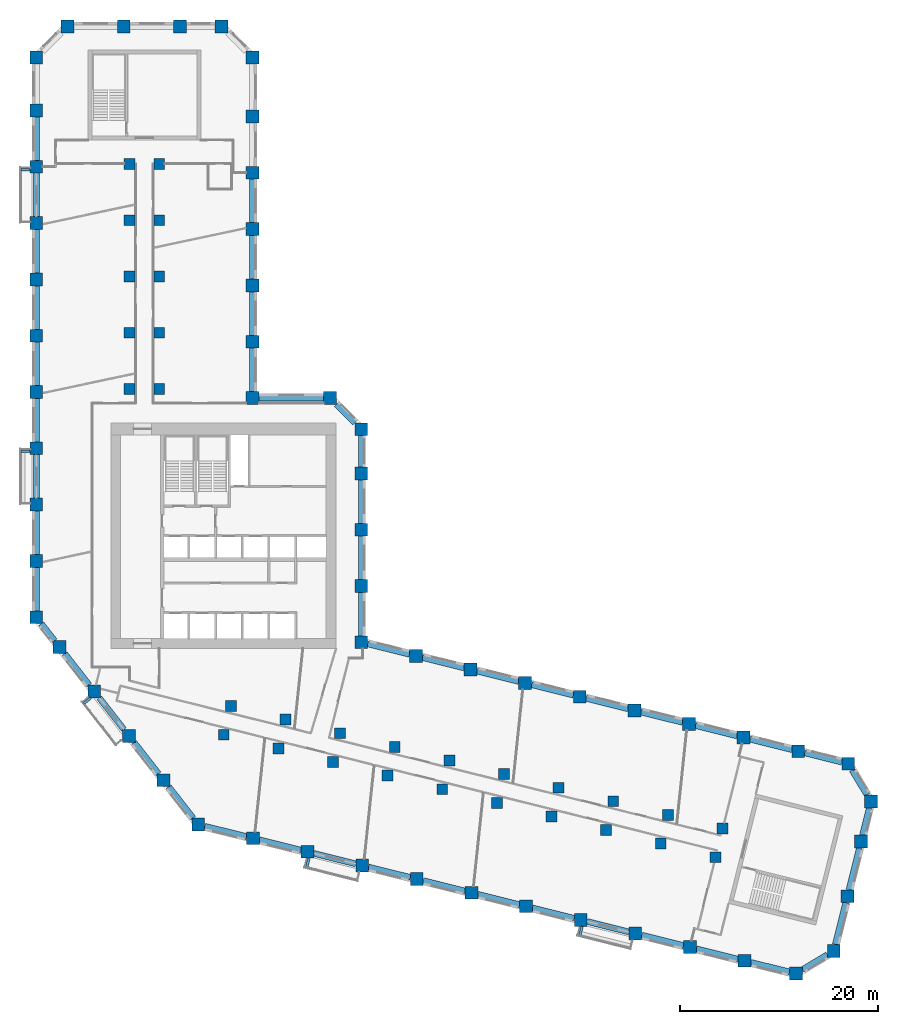
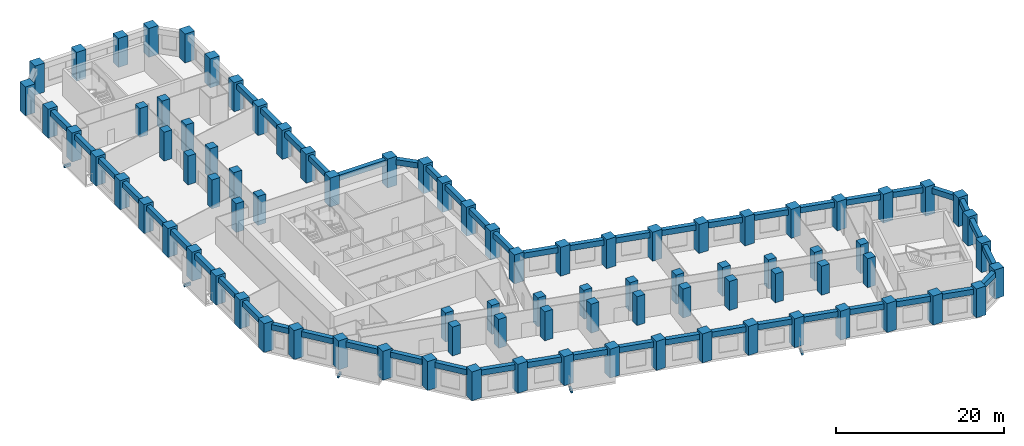
# One storey, part 1 of 11: 87 columns, 54 beams.
"""IFC4 building model written with IfcOpenShell, lengths in metres."""

import ifcopenshell
import ifcopenshell.guid

model = None  # the IFC model being written
_history = None  # IfcOwnerHistory: only IFC2X3 demands one
_inside = {}  # id of a spatial element -> (the spatial element, [elements in it])
_under = {}  # id of a project, library or spatial element -> (it, [spatial elements below it])
_declared = {}  # id of a project -> (the project, [libraries it declares])
_typed = {}  # id of a type object -> (the type object, [elements of that type])
_made_of = {}  # id of a material, layer set ... -> (it, [elements and type objects made of it])


def new_model(schema):
    """Start an empty IFC model of exactly this schema.

    Asked for "IFC4X3", IfcOpenShell would pick the latest addendum, in which some entities
    have other attributes; the version numbers below select the first issue.
    IFC2X3 requires an IfcOwnerHistory on every rooted entity: one is made here for all.
    """
    global model, _history
    if schema == "IFC4X3":
        model = ifcopenshell.file(schema_version=(4, 3, 0, 0))
    else:
        model = ifcopenshell.file(schema=schema)
    _inside.clear()
    _under.clear()
    _declared.clear()
    _typed.clear()
    _made_of.clear()
    _history = None
    if model.schema == "IFC2X3":
        org = make("IfcOrganization", Name="unknown")
        user = make(
            "IfcPersonAndOrganization",
            ThePerson=make("IfcPerson", FamilyName="unknown"),
            TheOrganization=org,
        )
        app = make(
            "IfcApplication",
            ApplicationDeveloper=org,
            Version="unknown",
            ApplicationFullName="unknown",
            ApplicationIdentifier="unknown",
        )
        _history = make(
            "IfcOwnerHistory",
            OwningUser=user,
            OwningApplication=app,
            ChangeAction="ADDED",
            CreationDate=0,
        )
    return model


def make(cls, **values):
    """One entity of the class cls with the attributes given. An attribute that is None is left unset."""
    return model.create_entity(
        cls, **{name: value for name, value in values.items() if value is not None}
    )


def rooted(cls, **values):
    """An entity with a GlobalId (a new one), such as an element, a storey or a relation."""
    return make(cls, GlobalId=ifcopenshell.guid.new(), OwnerHistory=_history, **values)


def si_unit(unit_type, name, prefix=None):
    """IfcSIUnit, for example si_unit("LENGTHUNIT", "METRE", prefix="MILLI")."""
    return make("IfcSIUnit", UnitType=unit_type, Prefix=prefix, Name=name)


def assignment(units):
    """IfcUnitAssignment: the units of a project."""
    return None if units is None else make("IfcUnitAssignment", Units=units)


def point(xyz):
    """IfcCartesianPoint."""
    return None if xyz is None else make("IfcCartesianPoint", Coordinates=xyz)


def direction(xyz):
    """IfcDirection."""
    return None if xyz is None else make("IfcDirection", DirectionRatios=xyz)


def frame(location, z_axis=None, x_axis=None):
    """IfcAxis2Placement3D, a coordinate frame: its origin and axes. An axis left out is left unset."""
    return make(
        "IfcAxis2Placement3D",
        Location=point(location),
        Axis=direction(z_axis),
        RefDirection=direction(x_axis),
    )


def frame_2d(location, x_axis=None):
    """IfcAxis2Placement2D, a coordinate frame in the plane: its origin and x axis."""
    return make(
        "IfcAxis2Placement2D", Location=point(location), RefDirection=direction(x_axis)
    )


def origin():
    """The frame at (0, 0, 0) with its axes left unset."""
    return frame((0.0, 0.0, 0.0))


def origin_2d():
    """The frame at (0, 0) in the plane with its x axis left unset."""
    return frame_2d((0.0, 0.0))


def place(relative_to, where):
    """IfcLocalPlacement: puts the frame where relative to a parent placement (None: the world)."""
    return make(
        "IfcLocalPlacement", PlacementRelTo=relative_to, RelativePlacement=where
    )


def context(
    kind, dimensions, precision=None, world=None, true_north=None, identifier=None
):
    """IfcGeometricRepresentationContext, for example the 3D "Model" context."""
    return make(
        "IfcGeometricRepresentationContext",
        ContextIdentifier=identifier,
        ContextType=kind,
        CoordinateSpaceDimension=dimensions,
        Precision=precision,
        WorldCoordinateSystem=world,
        TrueNorth=true_north,
    )


def subcontext(parent, identifier, kind, view, scale=None):
    """IfcGeometricRepresentationSubContext, for example "Body" below "Model"."""
    return make(
        "IfcGeometricRepresentationSubContext",
        ContextIdentifier=identifier,
        ContextType=kind,
        ParentContext=parent,
        TargetScale=scale,
        TargetView=view,
    )


def project(units=None, contexts=None):
    """IfcProject with its units and contexts."""
    return rooted(
        "IfcProject",
        Name="project",
        RepresentationContexts=contexts,
        UnitsInContext=assignment(units),
    )


def spatial(cls, under=None, at=None, **own):
    """A site, building, storey or space (cls), placed at a placement, below another one or the project."""
    s = rooted(cls, ObjectPlacement=at, **own)
    if under is not None:
        _under.setdefault(under.id(), (under, []))[1].append(s)
    return s


def profile(cls, at=None, kind="AREA", **sizes):
    """A parametric profile (cls). Its sizes go by their IFC names, for example OverallWidth=200.0."""
    return make(cls, ProfileType=kind, Position=at, **sizes)


def rectangle(**sizes):
    """IfcRectangleProfileDef."""
    return profile("IfcRectangleProfileDef", **sizes)


def extrude(swept, where, along, depth):
    """IfcExtrudedAreaSolid: the profile swept, set in the frame where, extruded along a direction by depth."""
    return make(
        "IfcExtrudedAreaSolid",
        SweptArea=swept,
        Position=where,
        ExtrudedDirection=direction(along),
        Depth=depth,
    )


def shape(context_of_items, identifier, shape_type, items):
    """IfcShapeRepresentation: the items that make up one representation, for example the "Body"."""
    return make(
        "IfcShapeRepresentation",
        ContextOfItems=context_of_items,
        RepresentationIdentifier=identifier,
        RepresentationType=shape_type,
        Items=items,
    )


def material(Name=None, Category=None):
    """IfcMaterial."""
    return make("IfcMaterial", Name=Name, Category=Category)


def material_profile(
    of_material, cross_section, Name=None, Category=None, Priority=None
):
    """IfcMaterialProfile: a cross section and its material."""
    return make(
        "IfcMaterialProfile",
        Name=Name,
        Material=of_material,
        Profile=cross_section,
        Priority=Priority,
        Category=Category,
    )


def profile_set(profiles, Name=None, composite=None):
    """IfcMaterialProfileSet."""
    return make(
        "IfcMaterialProfileSet",
        Name=Name,
        MaterialProfiles=profiles,
        CompositeProfile=composite,
    )


def made_of(thing, what):
    """Note that an element or type object is made of a material, layer set ...; save() writes the relation."""
    if what is not None:
        _made_of.setdefault(what.id(), (what, []))[1].append(thing)
    return thing


def type_object(cls, material=None, **own):
    """A type object (cls), such as IfcWallType, which elements share."""
    return made_of(rooted(cls, **own), material)


def element(
    cls,
    number,
    at=None,
    inside=None,
    cuts=None,
    type_object=None,
    material=None,
    context=None,
    identifier="Body",
    shape_type=None,
    held_by="IfcProductDefinitionShape",
    body=None,
    shapes=None,
    **own,
):
    """One element of the class cls, such as IfcWall. Its Tag is "e" and its number.

    at: its placement. inside: the storey or other place that contains it. cuts: it is an
    opening in that element (IfcRelVoidsElement). A single representation is given by context,
    identifier, shape_type and body (its items); several are given by shapes. held_by: the class
    of the entity that holds the representations. save() writes the other relations.
    """
    e = rooted(cls, Tag="e%d" % number, ObjectPlacement=at, **own)
    if body is not None:
        shapes = [shape(context, identifier, shape_type, body)]
    if shapes is not None:
        e.Representation = make(held_by, Representations=shapes)
    if inside is not None:
        _inside.setdefault(inside.id(), (inside, []))[1].append(e)
    if cuts is not None:
        rooted(
            "IfcRelVoidsElement", RelatingBuildingElement=cuts, RelatedOpeningElement=e
        )
    if type_object is not None:
        _typed.setdefault(type_object.id(), (type_object, []))[1].append(e)
    return made_of(e, material)


def aggregate(whole, parts):
    """IfcRelAggregates: a whole, such as a stair, and the parts it consists of."""
    return rooted("IfcRelAggregates", RelatingObject=whole, RelatedObjects=parts)


def save(model, path):
    """Write the relations noted so far, then the file.

    IfcRelAggregates (storeys below a building ...), IfcRelContainedInSpatialStructure (elements
    in a storey), IfcRelDefinesByType, IfcRelAssociatesMaterial and IfcRelDeclares: one each for
    every whole, place, type object, material and project.
    """
    for whole, parts in _under.values():
        aggregate(whole, parts)
    for where, things in _inside.values():
        rooted(
            "IfcRelContainedInSpatialStructure",
            RelatedElements=things,
            RelatingStructure=where,
        )
    for kind, things in _typed.values():
        rooted("IfcRelDefinesByType", RelatedObjects=things, RelatingType=kind)
    for what, things in _made_of.values():
        rooted("IfcRelAssociatesMaterial", RelatedObjects=things, RelatingMaterial=what)
    for by, libraries in _declared.values():
        rooted("IfcRelDeclares", RelatingContext=by, RelatedDefinitions=libraries)
    model.write(path)


model = new_model("IFC4")

# Units and contexts
model_context = context("Model", 3, precision=1e-05, world=origin(), true_north=direction((0.0, 1.0)))
body_context = subcontext(model_context, "Body", "Model", "MODEL_VIEW")
ifc_project = project(units=[si_unit("LENGTHUNIT", "METRE"), si_unit("AREAUNIT", "SQUARE_METRE"), si_unit("VOLUMEUNIT", "CUBIC_METRE"), si_unit("PLANEANGLEUNIT", "RADIAN"), si_unit("MASSUNIT", "GRAM", prefix="KILO")], contexts=[model_context])

# Site, building, storey
site_placement = place(None, origin())
site = spatial("IfcSite", under=ifc_project, at=site_placement, CompositionType="ELEMENT")
building_placement = place(site_placement, origin())
building = spatial("IfcBuilding", under=site, at=building_placement, Name="Meshkara Civic Tower", CompositionType="ELEMENT")
storey_placement = place(building_placement, frame((0.0, 0.0, 135.0)))
storey = spatial("IfcBuildingStorey", under=building, at=storey_placement, Name="L30", CompositionType="ELEMENT", Elevation=135.0)

# Columns
ifc_material_1 = material(Name="Concrete C70", Category="concrete")
ifc_material_profile_1 = material_profile(ifc_material_1, rectangle(XDim=1.10009765625, YDim=1.10009765625, at=origin_2d()))
ifc_profile_set_1 = profile_set([ifc_material_profile_1], Name="Concrete C70")
column_type_1 = type_object("IfcColumnType", Name="Interior column RC 1100x1100 C70", PredefinedType="COLUMN", material=ifc_profile_set_1)
for number, where, z_axis, x_axis, name in (
    (1, (9.89990234375, 40.35009765625, 0.0), (0.0, 0.0, 1.0), (1.0, 0.0, 0.0), "Column SA1-04 L30"),
    (2, (9.89990234375, 46.050048828125, 0.0), (0.0, 0.0, 1.0), (1.0, 0.0, 0.0), "Column SA1-05 L30"),
    (3, (9.89990234375, 51.75, 0.0), (0.0, 0.0, 1.0), (1.0, 0.0, 0.0), "Column SA1-06 L30"),
    (4, (9.89990234375, 57.449951171875, 0.0), (0.0, 0.0, 1.0), (1.0, 0.0, 0.0), "Column SA1-07 L30"),
    (5, (9.89990234375, 63.14990234375, 0.0), (0.0, 0.0, 1.0), (1.0, 0.0, 0.0), "Column SA1-08 L30"),
    (6, (12.89990234375, 40.35009765625, 0.0), (0.0, 0.0, 1.0), (1.0, 0.0, 0.0), "Column SA2-04 L30"),
    (7, (12.89990234375, 46.050048828125, 0.0), (0.0, 0.0, 1.0), (1.0, 0.0, 0.0), "Column SA2-05 L30"),
    (8, (12.89990234375, 51.75, 0.0), (0.0, 0.0, 1.0), (1.0, 0.0, 0.0), "Column SA2-06 L30"),
    (9, (12.89990234375, 57.449951171875, 0.0), (0.0, 0.0, 1.0), (1.0, 0.0, 0.0), "Column SA2-07 L30"),
    (10, (12.89990234375, 63.14990234375, 0.0), (0.0, 0.0, 1.0), (1.0, 0.0, 0.0), "Column SA2-08 L30"),
    (11, (19.424072265625, 5.360107421875, 0.0), (0.0, 0.0, 1.0), (1.0, 0.0, 0.0), "Column SB1-00 L30"),
    (12, (24.9541015625, 3.98095703125, 0.0), (0.0, 0.0, 1.0), (1.0, 0.0, 0.0), "Column SB1-01 L30"),
    (13, (30.485107421875, 2.60205078125, 0.0), (0.0, 0.0, 1.0), (1.0, 0.0, 0.0), "Column SB1-02 L30"),
    (14, (36.01611328125, 1.222900390625, 0.0), (0.0, 0.0, 1.0), (1.0, 0.0, 0.0), "Column SB1-03 L30"),
    (15, (41.5458984375, -0.156005859375, 0.0), (0.0, 0.0, 1.0), (1.0, 0.0, 0.0), "Column SB1-04 L30"),
    (16, (47.076904296875, -1.534912109375, 0.0), (0.0, 0.0, 1.0), (1.0, 0.0, 0.0), "Column SB1-05 L30"),
    (17, (52.60791015625, -2.9140625, 0.0), (0.0, 0.0, 1.0), (1.0, 0.0, 0.0), "Column SB1-06 L30"),
    (18, (58.138916015625, -4.2919921875, 0.0), (0.0, 0.0, 1.0), (1.0, 0.0, 0.0), "Column SB1-07 L30"),
    (19, (63.6689453125, -5.6708984375, 0.0), (0.0, 0.0, 1.0), (1.0, 0.0, 0.0), "Column SB1-08 L30"),
    (20, (69.199951171875, -7.050048828125, 0.0), (0.0, 0.0, 1.0), (1.0, 0.0, 0.0), "Column SB1-09 L30"),
    (21, (20.14892578125, 8.27099609375, 0.0), (0.0, 0.0, 1.0), (1.0, 0.0, 0.0), "Column SB2-00 L30"),
    (22, (25.679931640625, 6.89208984375, 0.0), (0.0, 0.0, 1.0), (1.0, 0.0, 0.0), "Column SB2-01 L30"),
    (23, (31.2109375, 5.512939453125, 0.0), (0.0, 0.0, 1.0), (1.0, 0.0, 0.0), "Column SB2-02 L30"),
    (24, (36.741943359375, 4.134033203125, 0.0), (0.0, 0.0, 1.0), (1.0, 0.0, 0.0), "Column SB2-03 L30"),
    (25, (42.27197265625, 2.7548828125, 0.0), (0.0, 0.0, 1.0), (1.0, 0.0, 0.0), "Column SB2-04 L30"),
    (26, (47.802978515625, 1.3759765625, 0.0), (0.0, 0.0, 1.0), (1.0, 0.0, 0.0), "Column SB2-05 L30"),
    (27, (53.333984375, -0.0029296875, 0.0), (0.0, 0.0, 1.0), (1.0, 0.0, 0.0), "Column SB2-06 L30"),
    (28, (58.864013671875, -1.382080078125, 0.0), (0.0, 0.0, 1.0), (1.0, 0.0, 0.0), "Column SB2-07 L30"),
    (29, (64.39501953125, -2.760986328125, 0.0), (0.0, 0.0, 1.0), (1.0, 0.0, 0.0), "Column SB2-08 L30"),
    (30, (69.926025390625, -4.139892578125, 0.0), (0.0, 0.0, 1.0), (1.0, 0.0, 0.0), "Column SB2-09 L30"),
):
    element("IfcColumn", number, at=place(storey_placement, frame(where, z_axis=z_axis, x_axis=x_axis)), inside=storey, type_object=column_type_1, Name=name, PredefinedType="COLUMN", context=body_context, shape_type="SweptSolid", body=[
        extrude(rectangle(XDim=1.10009765625, YDim=1.10009765625, at=origin_2d()), origin(), (0.0, 0.0, 1.0), 4.199951171875),
    ])
ifc_material_2 = material(Name="Concrete C70", Category="concrete")
ifc_material_profile_2 = material_profile(ifc_material_2, rectangle(XDim=1.300048828125, YDim=1.300048828125, at=origin_2d()))
ifc_profile_set_2 = profile_set([ifc_material_profile_2], Name="Concrete C70")
column_type_2 = type_object("IfcColumnType", Name="Perimeter column RC 1300x1300 C70", PredefinedType="COLUMN", material=ifc_profile_set_2)
for number, where, z_axis, x_axis, name in (
    (31, (33.35009765625, 14.718994140625, 0.0), (0.0, 0.0, 1.0), (1.0, 0.0, 0.0), "Column HE00 L30"),
    (32, (33.35009765625, 20.4189453125, 0.0), (0.0, 0.0, 1.0), (1.0, 0.0, 0.0), "Column HE01 L30"),
    (33, (33.35009765625, 26.118896484375, 0.0), (0.0, 0.0, 1.0), (1.0, 0.0, 0.0), "Column HE02 L30"),
    (34, (33.35009765625, 31.819091796875, 0.0), (0.0, 0.0, 1.0), (1.0, 0.0, 0.0), "Column HE03 L30"),
    (35, (33.35009765625, 36.2939453125, 0.0), (0.0, 0.0, 1.0), (1.0, 0.0, 0.0), "Column HEE L30"),
    (36, (30.194091796875, 39.449951171875, 0.0), (0.0, 0.0, 1.0), (1.0, 0.0, 0.0), "Column HCeE L30"),
    (37, (22.35009765625, 39.449951171875, 0.0), (0.0, 0.0, 1.0), (1.0, 0.0, 0.0), "Column HN00 L30"),
    (38, (22.35009765625, 45.14990234375, 0.0), (0.0, 0.0, 1.0), (1.0, 0.0, 0.0), "Column AE01 L30"),
    (39, (22.35009765625, 50.85009765625, 0.0), (0.0, 0.0, 1.0), (1.0, 0.0, 0.0), "Column AE02 L30"),
    (40, (22.35009765625, 56.550048828125, 0.0), (0.0, 0.0, 1.0), (1.0, 0.0, 0.0), "Column AE03 L30"),
    (41, (22.35009765625, 62.25, 0.0), (0.0, 0.0, 1.0), (1.0, 0.0, 0.0), "Column AE04 L30"),
    (42, (22.35009765625, 67.949951171875, 0.0), (0.0, 0.0, 1.0), (1.0, 0.0, 0.0), "Column AE05 L30"),
    (43, (22.35009765625, 73.9140625, 0.0), (0.0, 0.0, 1.0), (1.0, 0.0, 0.0), "Column AEEP1 L30"),
    (44, (19.194091796875, 77.070068359375, 0.0), (0.0, 0.0, 1.0), (1.0, 0.0, 0.0), "Column ATiEP1 L30"),
    (45, (3.60595703125, 77.070068359375, 0.0), (0.0, 0.0, 1.0), (1.0, 0.0, 0.0), "Column AT00-P1 L30"),
    (46, (9.305908203125, 77.070068359375, 0.0), (0.0, 0.0, 1.0), (1.0, 0.0, 0.0), "Column AT01-P1 L30"),
    (47, (15.006103515625, 77.070068359375, 0.0), (0.0, 0.0, 1.0), (1.0, 0.0, 0.0), "Column AT02-P1 L30"),
    (48, (0.449951171875, 73.9140625, 0.0), (0.0, 0.0, 1.0), (1.0, 0.0, 0.0), "Column ATo00-P1 L30"),
    (49, (0.449951171875, 17.2548828125, 0.0), (0.0, 0.0, 1.0), (1.0, 0.0, 0.0), "Column AW00 L30"),
    (50, (0.449951171875, 22.955078125, 0.0), (0.0, 0.0, 1.0), (1.0, 0.0, 0.0), "Column AW01 L30"),
    (51, (0.449951171875, 28.655029296875, 0.0), (0.0, 0.0, 1.0), (1.0, 0.0, 0.0), "Column AW02 L30"),
    (52, (0.449951171875, 34.35498046875, 0.0), (0.0, 0.0, 1.0), (1.0, 0.0, 0.0), "Column AW03 L30"),
    (53, (0.449951171875, 40.054931640625, 0.0), (0.0, 0.0, 1.0), (1.0, 0.0, 0.0), "Column AW04 L30"),
    (54, (0.449951171875, 45.7548828125, 0.0), (0.0, 0.0, 1.0), (1.0, 0.0, 0.0), "Column AW05 L30"),
    (55, (0.449951171875, 51.455078125, 0.0), (0.0, 0.0, 1.0), (1.0, 0.0, 0.0), "Column AW06 L30"),
    (56, (0.449951171875, 57.155029296875, 0.0), (0.0, 0.0, 1.0), (1.0, 0.0, 0.0), "Column AW07 L30"),
    (57, (0.449951171875, 62.85498046875, 0.0), (0.0, 0.0, 1.0), (1.0, 0.0, 0.0), "Column AW08 L30"),
    (58, (0.449951171875, 68.554931640625, 0.0), (0.0, 0.0, 1.0), (1.0, 0.0, 0.0), "Column AW09 L30"),
    (59, (16.85107421875, -3.738037109375, 0.0), (0.0, 0.0, 1.0), (1.0, 0.0, 0.0), "Column BOW00 L30"),
    (60, (13.342041015625, 0.75390625, 0.0), (0.0, 0.0, 1.0), (1.0, 0.0, 0.0), "Column BOW01 L30"),
    (61, (9.8330078125, 5.2451171875, 0.0), (0.0, 0.0, 1.0), (1.0, 0.0, 0.0), "Column BOW02 L30"),
    (62, (6.322998046875, 9.737060546875, 0.0), (0.0, 0.0, 1.0), (1.0, 0.0, 0.0), "Column BOW03 L30"),
    (63, (2.81396484375, 14.22900390625, 0.0), (0.0, 0.0, 1.0), (1.0, 0.0, 0.0), "Column BOW04 L30"),
    (64, (22.382080078125, -5.116943359375, 0.0), (0.0, 0.0, 1.0), (1.0, 0.0, 0.0), "Column BS01 L30"),
    (65, (27.912109375, -6.49609375, 0.0), (0.0, 0.0, 1.0), (1.0, 0.0, 0.0), "Column BS02 L30"),
    (66, (33.443115234375, -7.875, 0.0), (0.0, 0.0, 1.0), (1.0, 0.0, 0.0), "Column BS03 L30"),
    (67, (38.97412109375, -9.2529296875, 0.0), (0.0, 0.0, 1.0), (1.0, 0.0, 0.0), "Column BS04-P1 L30"),
    (68, (44.5048828125, -10.632080078125, 0.0), (0.0, 0.0, 1.0), (1.0, 0.0, 0.0), "Column BS05 L30"),
    (69, (50.034912109375, -12.010986328125, 0.0), (0.0, 0.0, 1.0), (1.0, 0.0, 0.0), "Column BS06 L30"),
    (70, (55.56591796875, -13.389892578125, 0.0), (0.0, 0.0, 1.0), (1.0, 0.0, 0.0), "Column BS07 L30"),
    (71, (61.096923828125, -14.76904296875, 0.0), (0.0, 0.0, 1.0), (1.0, 0.0, 0.0), "Column BS08 L30"),
    (72, (66.626953125, -16.14794921875, 0.0), (0.0, 0.0, 1.0), (1.0, 0.0, 0.0), "Column BS09 L30"),
    (73, (72.157958984375, -17.527099609375, 0.0), (0.0, 0.0, 1.0), (1.0, 0.0, 0.0), "Column BS10 L30"),
    (74, (77.35791015625, -18.822998046875, 0.0), (0.0, 0.0, 1.0), (1.0, 0.0, 0.0), "Column BSEP1 L30"),
    (75, (81.18310546875, -16.52392578125, 0.0), (0.0, 0.0, 1.0), (1.0, 0.0, 0.0), "Column BToEP1 L30"),
    (76, (82.56201171875, -10.992919921875, 0.0), (0.0, 0.0, 1.0), (1.0, 0.0, 0.0), "Column BT01-P1 L30"),
    (77, (83.94091796875, -5.462890625, 0.0), (0.0, 0.0, 1.0), (1.0, 0.0, 0.0), "Column BT02-P1 L30"),
    (78, (84.9541015625, -1.39990234375, 0.0), (0.0, 0.0, 1.0), (1.0, 0.0, 0.0), "Column BTEP1 L30"),
    (79, (82.655029296875, 2.425048828125, 0.0), (0.0, 0.0, 1.0), (1.0, 0.0, 0.0), "Column BTi00-P1 L30"),
    (80, (38.881103515625, 13.340087890625, 0.0), (0.0, 0.0, 1.0), (1.0, 0.0, 0.0), "Column BN01 L30"),
    (81, (44.410888671875, 11.9609375, 0.0), (0.0, 0.0, 1.0), (1.0, 0.0, 0.0), "Column BN02 L30"),
    (82, (49.94189453125, 10.58203125, 0.0), (0.0, 0.0, 1.0), (1.0, 0.0, 0.0), "Column BN03 L30"),
    (83, (55.472900390625, 9.202880859375, 0.0), (0.0, 0.0, 1.0), (1.0, 0.0, 0.0), "Column BN04 L30"),
    (84, (61.0029296875, 7.823974609375, 0.0), (0.0, 0.0, 1.0), (1.0, 0.0, 0.0), "Column BN05 L30"),
    (85, (66.533935546875, 6.445068359375, 0.0), (0.0, 0.0, 1.0), (1.0, 0.0, 0.0), "Column BN06 L30"),
    (86, (72.06494140625, 5.06591796875, 0.0), (0.0, 0.0, 1.0), (1.0, 0.0, 0.0), "Column BN07 L30"),
    (87, (77.594970703125, 3.68701171875, 0.0), (0.0, 0.0, 1.0), (1.0, 0.0, 0.0), "Column BN08 L30"),
):
    element("IfcColumn", number, at=place(storey_placement, frame(where, z_axis=z_axis, x_axis=x_axis)), inside=storey, type_object=column_type_2, Name=name, PredefinedType="COLUMN", context=body_context, shape_type="SweptSolid", body=[
        extrude(rectangle(XDim=1.300048828125, YDim=1.300048828125, at=origin_2d()), origin(), (0.0, 0.0, 1.0), 4.199951171875),
    ])

# Beams
ifc_material_3 = material(Name="Concrete C50", Category="concrete")
ifc_material_profile_3 = material_profile(ifc_material_3, rectangle(XDim=0.25, YDim=0.39990234375, at=origin_2d()))
ifc_profile_set_3 = profile_set([ifc_material_profile_3], Name="Concrete C50")
beam_type_1 = type_object("IfcBeamType", Name="Balcony bracket beam RC 250x400 C50", PredefinedType="BEAM", material=ifc_profile_set_3)
for number, where, z_axis, x_axis, name in (
    (88, (-0.195068359375, 62.554931640625, -0.5), (-1.0, 0.0, 0.0), (0.0, -1.0, 0.0), "Balcony bracket beam"),
    (89, (-0.195068359375, 34.054931640625, -0.5), (-1.0, 0.0, 0.0), (0.0, -1.0, 0.0), "Balcony bracket beam"),
):
    element("IfcBeam", number, at=place(storey_placement, frame(where, z_axis=z_axis, x_axis=x_axis)), inside=storey, type_object=beam_type_1, Name=name, PredefinedType="BEAM", context=body_context, shape_type="SweptSolid", body=[
        extrude(rectangle(XDim=0.25, YDim=0.39990234375, at=origin_2d()), origin(), (0.0, 0.0, 1.0), 0.905029296875),
    ])
beam_1_placement = place(storey_placement, frame((5.98193359375, 9.090087890625, -0.5), z_axis=(-0.787948814224, -0.615740745901, 0.0), x_axis=(0.615740745901, -0.787948814224, 0.0)))
element("IfcBeam", 90, at=beam_1_placement, inside=storey, type_object=beam_type_1, Name="Balcony bracket beam", PredefinedType="BEAM", context=body_context, shape_type="SweptSolid", body=[
    extrude(rectangle(XDim=0.25, YDim=0.39990234375, at=origin_2d()), origin(), (0.0, 0.0, 1.0), 0.8818359375),
])
beam_2_placement = place(storey_placement, frame((28.06005859375, -7.14111328125, -0.5), z_axis=(-0.24199671944, -0.970277067533, 0.0), x_axis=(0.970277067533, -0.24199671944, 0.0)))
element("IfcBeam", 91, at=beam_2_placement, inside=storey, type_object=beam_type_1, Name="Balcony bracket beam", PredefinedType="BEAM", context=body_context, shape_type="SweptSolid", body=[
    extrude(rectangle(XDim=0.25, YDim=0.39990234375, at=origin_2d()), origin(), (0.0, 0.0, 1.0), 0.95947265625),
])
beam_3_placement = place(storey_placement, frame((55.714111328125, -14.034912109375, -0.5), z_axis=(-0.24169832891, -0.970351440357, 0.0), x_axis=(0.970351440357, -0.24169832891, 0.0)))
element("IfcBeam", 92, at=beam_3_placement, inside=storey, type_object=beam_type_1, Name="Balcony bracket beam", PredefinedType="BEAM", context=body_context, shape_type="SweptSolid", body=[
    extrude(rectangle(XDim=0.25, YDim=0.39990234375, at=origin_2d()), origin(), (0.0, 0.0, 1.0), 0.960693359375),
])
ifc_material_4 = material(Name="Concrete C70", Category="concrete")
ifc_material_profile_4 = material_profile(ifc_material_4, rectangle(XDim=0.60009765625, YDim=0.800048828125, at=origin_2d()))
ifc_profile_set_4 = profile_set([ifc_material_profile_4], Name="Concrete C70")
beam_type_2 = type_object("IfcBeamType", Name="Spandrel beam RC 600x800 C70", PredefinedType="BEAM", material=ifc_profile_set_4)
beam_4_placement = place(storey_placement, frame((76.949951171875, 3.847900390625, 3.5), z_axis=(-0.970293497888, 0.241930832999, 0.0), x_axis=(-0.241930832999, -0.970293497888, 0.0)))
element("IfcBeam", 93, at=beam_4_placement, inside=storey, type_object=beam_type_2, Name="Spandrel beam BN07-BN08", PredefinedType="BEAM", context=body_context, shape_type="SweptSolid", body=[
    extrude(rectangle(XDim=0.60009765625, YDim=0.800048828125, at=origin_2d()), origin(), (0.0, 0.0, 1.0), 4.36962890625),
])
for number, where, z_axis, x_axis, name in (
    (94, (71.419921875, 5.226806640625, 3.5), (-0.970293463154, 0.241930972304, 0.0), (-0.241930972304, -0.970293463154, 0.0), "Spandrel beam BN06-BN07"),
    (95, (65.888916015625, 6.605712890625, 3.5), (-0.970293463154, 0.241930972304, 0.0), (-0.241930972304, -0.970293463154, 0.0), "Spandrel beam BN05-BN06"),
):
    element("IfcBeam", number, at=place(storey_placement, frame(where, z_axis=z_axis, x_axis=x_axis)), inside=storey, type_object=beam_type_2, Name=name, PredefinedType="BEAM", context=body_context, shape_type="SweptSolid", body=[
        extrude(rectangle(XDim=0.60009765625, YDim=0.800048828125, at=origin_2d()), origin(), (0.0, 0.0, 1.0), 4.37060546875),
    ])
beam_5_placement = place(storey_placement, frame((60.35791015625, 7.98486328125, 3.5), z_axis=(-0.970293497888, 0.241930832999, 0.0), x_axis=(-0.241930832999, -0.970293497888, 0.0)))
element("IfcBeam", 96, at=beam_5_placement, inside=storey, type_object=beam_type_2, Name="Spandrel beam BN04-BN05", PredefinedType="BEAM", context=body_context, shape_type="SweptSolid", body=[
    extrude(rectangle(XDim=0.60009765625, YDim=0.800048828125, at=origin_2d()), origin(), (0.0, 0.0, 1.0), 4.36962890625),
])
for number, where, z_axis, x_axis, name in (
    (97, (54.827880859375, 9.36376953125, 3.5), (-0.970293463154, 0.241930972304, 0.0), (-0.241930972304, -0.970293463154, 0.0), "Spandrel beam BN03-BN04"),
    (98, (49.296875, 10.742919921875, 3.5), (-0.970293463154, 0.241930972304, 0.0), (-0.241930972304, -0.970293463154, 0.0), "Spandrel beam BN02-BN03"),
):
    element("IfcBeam", number, at=place(storey_placement, frame(where, z_axis=z_axis, x_axis=x_axis)), inside=storey, type_object=beam_type_2, Name=name, PredefinedType="BEAM", context=body_context, shape_type="SweptSolid", body=[
        extrude(rectangle(XDim=0.60009765625, YDim=0.800048828125, at=origin_2d()), origin(), (0.0, 0.0, 1.0), 4.37060546875),
    ])
beam_6_placement = place(storey_placement, frame((43.765869140625, 12.121826171875, 3.5), z_axis=(-0.970280380753, 0.241983434817, 0.0), x_axis=(-0.241983434817, -0.970280380753, 0.0)))
element("IfcBeam", 99, at=beam_6_placement, inside=storey, type_object=beam_type_2, Name="Spandrel beam BN01-BN02", PredefinedType="BEAM", context=body_context, shape_type="SweptSolid", body=[
    extrude(rectangle(XDim=0.60009765625, YDim=0.800048828125, at=origin_2d()), origin(), (0.0, 0.0, 1.0), 4.36962890625),
])
beam_7_placement = place(storey_placement, frame((38.23583984375, 13.500732421875, 3.5), z_axis=(-0.970293463154, 0.241930972304, 0.0), x_axis=(-0.241930972304, -0.970293463154, 0.0)))
element("IfcBeam", 100, at=beam_7_placement, inside=storey, type_object=beam_type_2, Name="Spandrel beam BN01-HE00", PredefinedType="BEAM", context=body_context, shape_type="SweptSolid", body=[
    extrude(rectangle(XDim=0.60009765625, YDim=0.800048828125, at=origin_2d()), origin(), (0.0, 0.0, 1.0), 4.37060546875),
])
beam_8_placement = place(storey_placement, frame((33.35009765625, 15.364013671875, 3.5), z_axis=(0.0, 1.0, 0.0), x_axis=(-1.0, 0.0, 0.0)))
element("IfcBeam", 101, at=beam_8_placement, inside=storey, type_object=beam_type_2, Name="Spandrel beam HE00-HE01", PredefinedType="BEAM", context=body_context, shape_type="SweptSolid", body=[
    extrude(rectangle(XDim=0.60009765625, YDim=0.800048828125, at=origin_2d()), origin(), (0.0, 0.0, 1.0), 4.409912109375),
])
for number, where, z_axis, x_axis, name in (
    (102, (33.35009765625, 21.06396484375, 3.5), (0.0, 1.0, 0.0), (-1.0, 0.0, 0.0), "Spandrel beam HE01-HE02"),
    (103, (33.35009765625, 26.763916015625, 3.5), (0.0, 1.0, 0.0), (-1.0, 0.0, 0.0), "Spandrel beam HE02-HE03"),
):
    element("IfcBeam", number, at=place(storey_placement, frame(where, z_axis=z_axis, x_axis=x_axis)), inside=storey, type_object=beam_type_2, Name=name, PredefinedType="BEAM", context=body_context, shape_type="SweptSolid", body=[
        extrude(rectangle(XDim=0.60009765625, YDim=0.800048828125, at=origin_2d()), origin(), (0.0, 0.0, 1.0), 4.41015625),
    ])
beam_9_placement = place(storey_placement, frame((33.35009765625, 32.464111328125, 3.5), z_axis=(0.0, 1.0, 0.0), x_axis=(-1.0, 0.0, 0.0)))
element("IfcBeam", 104, at=beam_9_placement, inside=storey, type_object=beam_type_2, Name="Spandrel beam HE03-HEE", PredefinedType="BEAM", context=body_context, shape_type="SweptSolid", body=[
    extrude(rectangle(XDim=0.60009765625, YDim=0.800048828125, at=origin_2d()), origin(), (0.0, 0.0, 1.0), 3.184814453125),
])
beam_10_placement = place(storey_placement, frame((32.70361328125, 36.9404296875, 3.5), z_axis=(-0.707106781187, 0.707106781187, 0.0), x_axis=(-0.707106781187, -0.707106781187, 0.0)))
element("IfcBeam", 105, at=beam_10_placement, inside=storey, type_object=beam_type_2, Name="Spandrel beam HCeE-HEE", PredefinedType="BEAM", context=body_context, shape_type="SweptSolid", body=[
    extrude(rectangle(XDim=0.60009765625, YDim=0.800048828125, at=origin_2d()), origin(), (0.0, 0.0, 1.0), 2.634765625),
])
beam_11_placement = place(storey_placement, frame((29.549072265625, 39.449951171875, 3.5), z_axis=(-1.0, 0.0, 0.0), x_axis=(0.0, -1.0, 0.0)))
element("IfcBeam", 106, at=beam_11_placement, inside=storey, type_object=beam_type_2, Name="Spandrel beam HCeE-HN00", PredefinedType="BEAM", context=body_context, shape_type="SweptSolid", body=[
    extrude(rectangle(XDim=0.60009765625, YDim=0.800048828125, at=origin_2d()), origin(), (0.0, 0.0, 1.0), 6.553955078125),
])
beam_12_placement = place(storey_placement, frame((22.35009765625, 40.094970703125, 3.5), z_axis=(0.0, 1.0, 0.0), x_axis=(-1.0, 0.0, 0.0)))
element("IfcBeam", 107, at=beam_12_placement, inside=storey, type_object=beam_type_2, Name="Spandrel beam AE01-HN00", PredefinedType="BEAM", context=body_context, shape_type="SweptSolid", body=[
    extrude(rectangle(XDim=0.60009765625, YDim=0.800048828125, at=origin_2d()), origin(), (0.0, 0.0, 1.0), 4.409912109375),
])
beam_13_placement = place(storey_placement, frame((22.35009765625, 45.794921875, 3.5), z_axis=(0.0, 1.0, 0.0), x_axis=(-1.0, 0.0, 0.0)))
element("IfcBeam", 108, at=beam_13_placement, inside=storey, type_object=beam_type_2, Name="Spandrel beam AE01-AE02", PredefinedType="BEAM", context=body_context, shape_type="SweptSolid", body=[
    extrude(rectangle(XDim=0.60009765625, YDim=0.800048828125, at=origin_2d()), origin(), (0.0, 0.0, 1.0), 4.41015625),
])
for number, where, z_axis, x_axis, name in (
    (109, (22.35009765625, 51.4951171875, 3.5), (0.0, 1.0, 0.0), (-1.0, 0.0, 0.0), "Spandrel beam AE02-AE03"),
    (110, (22.35009765625, 57.195068359375, 3.5), (0.0, 1.0, 0.0), (-1.0, 0.0, 0.0), "Spandrel beam AE03-AE04"),
    (111, (0.449951171875, 67.909912109375, 3.5), (0.0, -1.0, 0.0), (1.0, 0.0, 0.0), "Spandrel beam AW08-AW09"),
    (112, (0.449951171875, 62.2099609375, 3.5), (0.0, -1.0, 0.0), (1.0, 0.0, 0.0), "Spandrel beam AW07-AW08"),
    (113, (0.449951171875, 56.510009765625, 3.5), (0.0, -1.0, 0.0), (1.0, 0.0, 0.0), "Spandrel beam AW06-AW07"),
):
    element("IfcBeam", number, at=place(storey_placement, frame(where, z_axis=z_axis, x_axis=x_axis)), inside=storey, type_object=beam_type_2, Name=name, PredefinedType="BEAM", context=body_context, shape_type="SweptSolid", body=[
        extrude(rectangle(XDim=0.60009765625, YDim=0.800048828125, at=origin_2d()), origin(), (0.0, 0.0, 1.0), 4.409912109375),
    ])
for number, where, z_axis, x_axis, name in (
    (114, (0.449951171875, 50.81005859375, 3.5), (0.0, -1.0, 0.0), (1.0, 0.0, 0.0), "Spandrel beam AW05-AW06"),
    (115, (0.449951171875, 45.110107421875, 3.5), (0.0, -1.0, 0.0), (1.0, 0.0, 0.0), "Spandrel beam AW04-AW05"),
):
    element("IfcBeam", number, at=place(storey_placement, frame(where, z_axis=z_axis, x_axis=x_axis)), inside=storey, type_object=beam_type_2, Name=name, PredefinedType="BEAM", context=body_context, shape_type="SweptSolid", body=[
        extrude(rectangle(XDim=0.60009765625, YDim=0.800048828125, at=origin_2d()), origin(), (0.0, 0.0, 1.0), 4.41015625),
    ])
for number, where, z_axis, x_axis, name in (
    (116, (0.449951171875, 39.409912109375, 3.5), (0.0, -1.0, 0.0), (1.0, 0.0, 0.0), "Spandrel beam AW03-AW04"),
    (117, (0.449951171875, 33.7099609375, 3.5), (0.0, -1.0, 0.0), (1.0, 0.0, 0.0), "Spandrel beam AW02-AW03"),
    (118, (0.449951171875, 28.010009765625, 3.5), (0.0, -1.0, 0.0), (1.0, 0.0, 0.0), "Spandrel beam AW01-AW02"),
):
    element("IfcBeam", number, at=place(storey_placement, frame(where, z_axis=z_axis, x_axis=x_axis)), inside=storey, type_object=beam_type_2, Name=name, PredefinedType="BEAM", context=body_context, shape_type="SweptSolid", body=[
        extrude(rectangle(XDim=0.60009765625, YDim=0.800048828125, at=origin_2d()), origin(), (0.0, 0.0, 1.0), 4.409912109375),
    ])
beam_14_placement = place(storey_placement, frame((0.449951171875, 22.31005859375, 3.5), z_axis=(0.0, -1.0, 0.0), x_axis=(1.0, 0.0, 0.0)))
element("IfcBeam", 119, at=beam_14_placement, inside=storey, type_object=beam_type_2, Name="Spandrel beam AW00-AW01", PredefinedType="BEAM", context=body_context, shape_type="SweptSolid", body=[
    extrude(rectangle(XDim=0.60009765625, YDim=0.800048828125, at=origin_2d()), origin(), (0.0, 0.0, 1.0), 4.41015625),
])
beam_15_placement = place(storey_placement, frame((0.95458984375, 16.60888671875, 3.5), z_axis=(0.61568279769, -0.787994094286, 0.0), x_axis=(0.787994094286, 0.61568279769, 0.0)))
element("IfcBeam", 120, at=beam_15_placement, inside=storey, type_object=beam_type_2, Name="Spandrel beam AW00-BOW04", PredefinedType="BEAM", context=body_context, shape_type="SweptSolid", body=[
    extrude(rectangle(XDim=0.60009765625, YDim=0.800048828125, at=origin_2d()), origin(), (0.0, 0.0, 1.0), 2.200439453125),
])
beam_16_placement = place(storey_placement, frame((3.318603515625, 13.5830078125, 3.5), z_axis=(0.615612539127, -0.788048984309, 0.0), x_axis=(0.788048984309, 0.615612539127, 0.0)))
element("IfcBeam", 121, at=beam_16_placement, inside=storey, type_object=beam_type_2, Name="Spandrel beam BOW03-BOW04", PredefinedType="BEAM", context=body_context, shape_type="SweptSolid", body=[
    extrude(rectangle(XDim=0.60009765625, YDim=0.800048828125, at=origin_2d()), origin(), (0.0, 0.0, 1.0), 4.060546875),
])
beam_17_placement = place(storey_placement, frame((6.827880859375, 9.0908203125, 3.5), z_axis=(0.615716376188, -0.787967857272, 0.0), x_axis=(0.787967857272, 0.615716376188, 0.0)))
element("IfcBeam", 122, at=beam_17_placement, inside=storey, type_object=beam_type_2, Name="Spandrel beam BOW02-BOW03", PredefinedType="BEAM", context=body_context, shape_type="SweptSolid", body=[
    extrude(rectangle(XDim=0.60009765625, YDim=0.800048828125, at=origin_2d()), origin(), (0.0, 0.0, 1.0), 4.060791015625),
])
beam_18_placement = place(storey_placement, frame((10.337890625, 4.598876953125, 3.5), z_axis=(0.61568372316, -0.787993371188, 0.0), x_axis=(0.787993371188, 0.61568372316, 0.0)))
element("IfcBeam", 123, at=beam_18_placement, inside=storey, type_object=beam_type_2, Name="Spandrel beam BOW01-BOW02", PredefinedType="BEAM", context=body_context, shape_type="SweptSolid", body=[
    extrude(rectangle(XDim=0.60009765625, YDim=0.800048828125, at=origin_2d()), origin(), (0.0, 0.0, 1.0), 4.059326171875),
])
beam_19_placement = place(storey_placement, frame((13.8466796875, 0.10791015625, 3.5), z_axis=(0.615604368214, -0.78805536724, 0.0), x_axis=(0.78805536724, 0.615604368214, 0.0)))
element("IfcBeam", 124, at=beam_19_placement, inside=storey, type_object=beam_type_2, Name="Spandrel beam BOW00-BOW01", PredefinedType="BEAM", context=body_context, shape_type="SweptSolid", body=[
    extrude(rectangle(XDim=0.60009765625, YDim=0.800048828125, at=origin_2d()), origin(), (0.0, 0.0, 1.0), 4.060302734375),
])
beam_20_placement = place(storey_placement, frame((17.49609375, -3.898681640625, 3.5), z_axis=(0.970280349033, -0.241983562004, 0.0), x_axis=(0.241983562004, 0.970280349033, 0.0)))
element("IfcBeam", 125, at=beam_20_placement, inside=storey, type_object=beam_type_2, Name="Spandrel beam BOW00-BS01", PredefinedType="BEAM", context=body_context, shape_type="SweptSolid", body=[
    extrude(rectangle(XDim=0.60009765625, YDim=0.800048828125, at=origin_2d()), origin(), (0.0, 0.0, 1.0), 4.37060546875),
])
beam_21_placement = place(storey_placement, frame((23.027099609375, -5.27783203125, 3.5), z_axis=(0.970280380753, -0.241983434817, 0.0), x_axis=(0.241983434817, 0.970280380753, 0.0)))
element("IfcBeam", 126, at=beam_21_placement, inside=storey, type_object=beam_type_2, Name="Spandrel beam BS01-BS02", PredefinedType="BEAM", context=body_context, shape_type="SweptSolid", body=[
    extrude(rectangle(XDim=0.60009765625, YDim=0.800048828125, at=origin_2d()), origin(), (0.0, 0.0, 1.0), 4.36962890625),
])
beam_22_placement = place(storey_placement, frame((28.55712890625, -6.65673828125, 3.5), z_axis=(0.970293463154, -0.241930972304, 0.0), x_axis=(0.241930972304, 0.970293463154, 0.0)))
element("IfcBeam", 127, at=beam_22_placement, inside=storey, type_object=beam_type_2, Name="Spandrel beam BS02-BS03", PredefinedType="BEAM", context=body_context, shape_type="SweptSolid", body=[
    extrude(rectangle(XDim=0.60009765625, YDim=0.800048828125, at=origin_2d()), origin(), (0.0, 0.0, 1.0), 4.37060546875),
])
beam_23_placement = place(storey_placement, frame((34.088134765625, -8.03564453125, 3.5), z_axis=(0.97033279054, -0.241773190412, 0.0), x_axis=(0.241773190412, 0.97033279054, 0.0)))
element("IfcBeam", 128, at=beam_23_placement, inside=storey, type_object=beam_type_2, Name="Spandrel beam BS03-BS04-P1", PredefinedType="BEAM", context=body_context, shape_type="SweptSolid", body=[
    extrude(rectangle(XDim=0.60009765625, YDim=0.800048828125, at=origin_2d()), origin(), (0.0, 0.0, 1.0), 4.370361328125),
])
beam_24_placement = place(storey_placement, frame((39.619140625, -9.413818359375, 3.5), z_axis=(0.970293463154, -0.241930972304, 0.0), x_axis=(0.241930972304, 0.970293463154, 0.0)))
element("IfcBeam", 129, at=beam_24_placement, inside=storey, type_object=beam_type_2, Name="Spandrel beam BS04-P1-BS05", PredefinedType="BEAM", context=body_context, shape_type="SweptSolid", body=[
    extrude(rectangle(XDim=0.60009765625, YDim=0.800048828125, at=origin_2d()), origin(), (0.0, 0.0, 1.0), 4.37060546875),
])
beam_25_placement = place(storey_placement, frame((45.150146484375, -10.79296875, 3.5), z_axis=(0.970293497888, -0.241930832999, 0.0), x_axis=(0.241930832999, 0.970293497888, 0.0)))
element("IfcBeam", 130, at=beam_25_placement, inside=storey, type_object=beam_type_2, Name="Spandrel beam BS05-BS06", PredefinedType="BEAM", context=body_context, shape_type="SweptSolid", body=[
    extrude(rectangle(XDim=0.60009765625, YDim=0.800048828125, at=origin_2d()), origin(), (0.0, 0.0, 1.0), 4.36962890625),
])
for number, where, z_axis, x_axis, name in (
    (131, (50.68017578125, -12.171875, 3.5), (0.970293463154, -0.241930972304, 0.0), (0.241930972304, 0.970293463154, 0.0), "Spandrel beam BS06-BS07"),
    (132, (56.211181640625, -13.55078125, 3.5), (0.970293463154, -0.241930972304, 0.0), (0.241930972304, 0.970293463154, 0.0), "Spandrel beam BS07-BS08"),
):
    element("IfcBeam", number, at=place(storey_placement, frame(where, z_axis=z_axis, x_axis=x_axis)), inside=storey, type_object=beam_type_2, Name=name, PredefinedType="BEAM", context=body_context, shape_type="SweptSolid", body=[
        extrude(rectangle(XDim=0.60009765625, YDim=0.800048828125, at=origin_2d()), origin(), (0.0, 0.0, 1.0), 4.37060546875),
    ])
beam_26_placement = place(storey_placement, frame((61.7421875, -14.929931640625, 3.5), z_axis=(0.970293497888, -0.241930832999, 0.0), x_axis=(0.241930832999, 0.970293497888, 0.0)))
element("IfcBeam", 133, at=beam_26_placement, inside=storey, type_object=beam_type_2, Name="Spandrel beam BS08-BS09", PredefinedType="BEAM", context=body_context, shape_type="SweptSolid", body=[
    extrude(rectangle(XDim=0.60009765625, YDim=0.800048828125, at=origin_2d()), origin(), (0.0, 0.0, 1.0), 4.36962890625),
])
beam_27_placement = place(storey_placement, frame((67.272216796875, -16.308837890625, 3.5), z_axis=(0.970293463154, -0.241930972304, 0.0), x_axis=(0.241930972304, 0.970293463154, 0.0)))
element("IfcBeam", 134, at=beam_27_placement, inside=storey, type_object=beam_type_2, Name="Spandrel beam BS09-BS10", PredefinedType="BEAM", context=body_context, shape_type="SweptSolid", body=[
    extrude(rectangle(XDim=0.60009765625, YDim=0.800048828125, at=origin_2d()), origin(), (0.0, 0.0, 1.0), 4.37060546875),
])
beam_28_placement = place(storey_placement, frame((72.802978515625, -17.687744140625, 3.5), z_axis=(0.970323993045, -0.241808495551, 0.0), x_axis=(0.241808495551, 0.970323993045, 0.0)))
element("IfcBeam", 135, at=beam_28_placement, inside=storey, type_object=beam_type_2, Name="Spandrel beam BS10-BSEP1", PredefinedType="BEAM", context=body_context, shape_type="SweptSolid", body=[
    extrude(rectangle(XDim=0.60009765625, YDim=0.800048828125, at=origin_2d()), origin(), (0.0, 0.0, 1.0), 4.029541015625),
])
beam_29_placement = place(storey_placement, frame((78.003662109375, -18.434814453125, 3.5), z_axis=(0.857121046107, 0.515115047655, 0.0), x_axis=(-0.515115047655, 0.857121046107, 0.0)))
element("IfcBeam", 136, at=beam_29_placement, inside=storey, type_object=beam_type_2, Name="Spandrel beam BSEP1-BToEP1", PredefinedType="BEAM", context=body_context, shape_type="SweptSolid", body=[
    extrude(rectangle(XDim=0.60009765625, YDim=0.800048828125, at=origin_2d()), origin(), (0.0, 0.0, 1.0), 2.9560546875),
])
beam_30_placement = place(storey_placement, frame((81.34375, -15.87890625, 3.5), z_axis=(0.241930972304, 0.970293463154, 0.0), x_axis=(-0.970293463154, 0.241930972304, 0.0)))
element("IfcBeam", 137, at=beam_30_placement, inside=storey, type_object=beam_type_2, Name="Spandrel beam BT01-P1-BToEP1", PredefinedType="BEAM", context=body_context, shape_type="SweptSolid", body=[
    extrude(rectangle(XDim=0.60009765625, YDim=0.800048828125, at=origin_2d()), origin(), (0.0, 0.0, 1.0), 4.37060546875),
])
beam_31_placement = place(storey_placement, frame((82.722900390625, -10.347900390625, 3.5), z_axis=(0.241930832999, 0.970293497888, 0.0), x_axis=(-0.970293497888, 0.241930832999, 0.0)))
element("IfcBeam", 138, at=beam_31_placement, inside=storey, type_object=beam_type_2, Name="Spandrel beam BT01-P1-BT02-P1", PredefinedType="BEAM", context=body_context, shape_type="SweptSolid", body=[
    extrude(rectangle(XDim=0.60009765625, YDim=0.800048828125, at=origin_2d()), origin(), (0.0, 0.0, 1.0), 4.36962890625),
])
beam_32_placement = place(storey_placement, frame((84.101806640625, -4.81787109375, 3.5), z_axis=(0.241952611346, 0.970288067464, 0.0), x_axis=(-0.970288067464, 0.241952611346, 0.0)))
element("IfcBeam", 139, at=beam_32_placement, inside=storey, type_object=beam_type_2, Name="Spandrel beam BT02-P1-BTEP1", PredefinedType="BEAM", context=body_context, shape_type="SweptSolid", body=[
    extrude(rectangle(XDim=0.60009765625, YDim=0.800048828125, at=origin_2d()), origin(), (0.0, 0.0, 1.0), 2.857666015625),
])
beam_33_placement = place(storey_placement, frame((84.56591796875, -0.75439453125, 3.5), z_axis=(-0.515115047655, 0.857121046107, 0.0), x_axis=(-0.857121046107, -0.515115047655, 0.0)))
element("IfcBeam", 140, at=beam_33_placement, inside=storey, type_object=beam_type_2, Name="Spandrel beam BTEP1-BTi00-P1", PredefinedType="BEAM", context=body_context, shape_type="SweptSolid", body=[
    extrude(rectangle(XDim=0.60009765625, YDim=0.800048828125, at=origin_2d()), origin(), (0.0, 0.0, 1.0), 2.9560546875),
])
beam_34_placement = place(storey_placement, frame((82.010009765625, 2.5859375, 3.5), z_axis=(-0.970282789967, 0.241973774392, 0.0), x_axis=(-0.241973774392, -0.970282789967, 0.0)))
element("IfcBeam", 141, at=beam_34_placement, inside=storey, type_object=beam_type_2, Name="Spandrel beam BN08-BTi00-P1", PredefinedType="BEAM", context=body_context, shape_type="SweptSolid", body=[
    extrude(rectangle(XDim=0.60009765625, YDim=0.800048828125, at=origin_2d()), origin(), (0.0, 0.0, 1.0), 3.885498046875),
])

save(model, "model.ifc")
